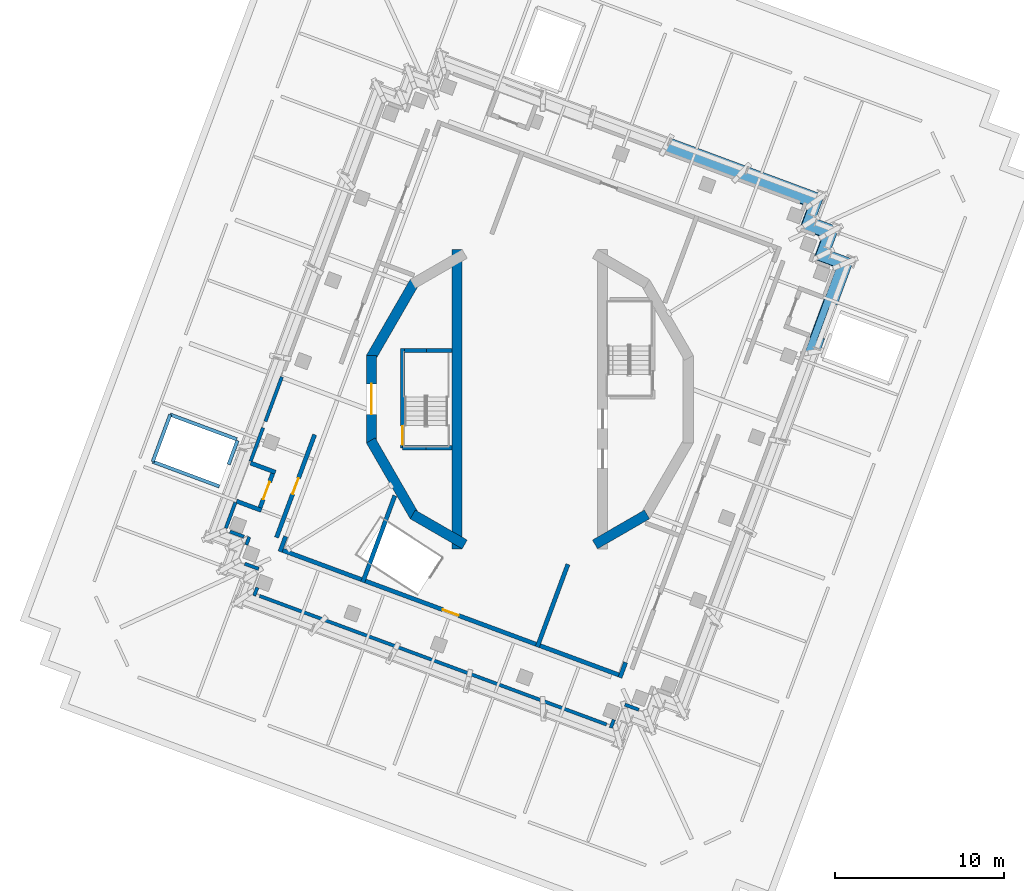
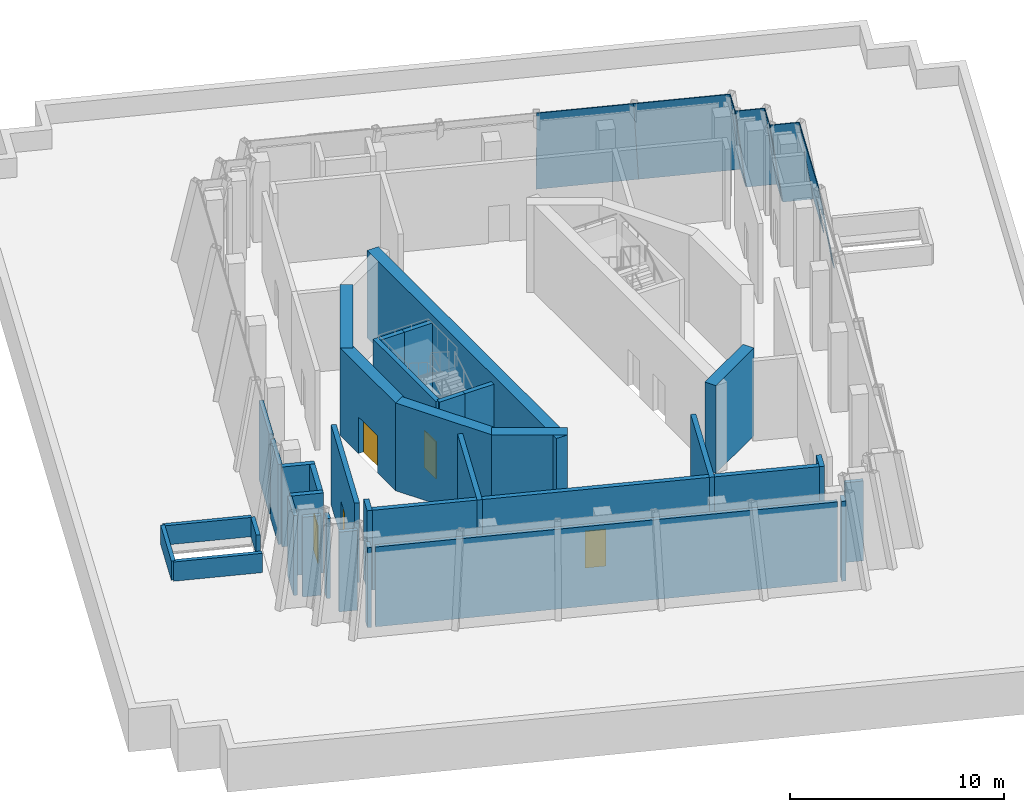
# One storey, part 5 of 12: 36 walls, 7 plates, 5 doors, 5 openings, 7 elements without a shape of their own.
"""IFC4 building model written with IfcOpenShell, lengths in metres."""

from ifc_helpers import new_model, si_unit, direction, frame, frame_2d, origin, place, context, subcontext, project, spatial, polyline, rectangle, outline, extrude, material, layer, layer_set, type_object, element, fill, aggregate, save


model = new_model("IFC4")

# Units and contexts
model_context = context("Model", 3, precision=1e-05, world=origin(), true_north=direction((0.0, 1.0)))
body_context = subcontext(model_context, "Body", "Model", "MODEL_VIEW")
ifc_project = project(units=[si_unit("LENGTHUNIT", "METRE"), si_unit("AREAUNIT", "SQUARE_METRE"), si_unit("VOLUMEUNIT", "CUBIC_METRE"), si_unit("PLANEANGLEUNIT", "RADIAN"), si_unit("MASSUNIT", "GRAM", prefix="KILO")], contexts=[model_context])

# Site, building, storey
site_placement = place(None, origin())
site = spatial("IfcSite", under=ifc_project, at=site_placement, CompositionType="ELEMENT")
building_placement = place(site_placement, origin())
building = spatial("IfcBuilding", under=site, at=building_placement, Name="Cantera Rosa Tower", CompositionType="ELEMENT")
storey_placement = place(building_placement, frame((0.0, 0.0, 345.699951171875)))
storey = spatial("IfcBuildingStorey", under=building, at=storey_placement, Name="L78", CompositionType="ELEMENT", Elevation=345.699951171875)

# Curtain wall, plate
ifc_material_1 = material(Name="Aluminium frame with clear glass", Category="aluminium")
curtain_wall_type = type_object("IfcCurtainWallType", Name="CW4 CROWN GLAZING", PredefinedType="NOTDEFINED", material=ifc_material_1)
curtain_wall_1_placement = place(storey_placement, origin())
curtain_wall_1 = element("IfcCurtainWall", 1, at=curtain_wall_1_placement, inside=storey, type_object=curtain_wall_type, Name="CW4 L78-01", PredefinedType="NOTDEFINED")
ifc_material_2 = material(Name="Aluminium frame with clear glass", Category="aluminium")
ifc_layer_1 = layer(ifc_material_2, 0.0400390625)
ifc_layer_set_1 = layer_set([ifc_layer_1], Name="CW-PANEL CROWN 40")
plate_type = type_object("IfcPlateType", Name="CW-PANEL CROWN 40", PredefinedType="CURTAIN_PANEL", material=ifc_layer_set_1)
plate_1_placement = place(storey_placement, frame((17.40966796875, 12.0546875, 0.0), z_axis=(0.341520995596, 0.921611362009, 0.184379790061), x_axis=(-0.937688102982, 0.347478087827, 2.281693e-06)))
plate_1 = element("IfcPlate", 2, at=plate_1_placement, type_object=plate_type, Name="CROWN GLAZING L78-01", PredefinedType="CURTAIN_PANEL", context=body_context, shape_type="SweptSolid", body=[
    extrude(outline(polyline([(0.0, 0.0), (4.8544728488537885, 0.0), (5.248178028319233, 5.087207836162462), (0.6561072630996764, 5.087229766264052), (0.0, 0.0)])), origin(), (0.0, 0.0, -1.0), 0.0400390625),
])
aggregate(curtain_wall_1, [plate_1])

curtain_wall_2_placement = place(storey_placement, origin())
curtain_wall_2 = element("IfcCurtainWall", 3, at=curtain_wall_2_placement, inside=storey, type_object=curtain_wall_type, Name="CW4 L78-02", PredefinedType="NOTDEFINED")
plate_2_placement = place(storey_placement, frame((12.857666015625, 13.741455078125, 0.0), z_axis=(0.341515330439, 0.921613819424, 0.184378000104), x_axis=(-0.937690002367, 0.347472962195, -2.022083e-06)))
plate_2 = element("IfcPlate", 4, at=plate_2_placement, type_object=plate_type, Name="CROWN GLAZING L78-02", PredefinedType="CURTAIN_PANEL", context=body_context, shape_type="SweptSolid", body=[
    extrude(outline(polyline([(0.0, 0.0), (4.854243920883489, 0.0), (4.985445791790336, 5.087228538589944), (0.3936887874710647, 5.087209104808349), (0.0, 0.0)])), origin(), (0.0, 0.0, -1.0), 0.0400390625),
])
aggregate(curtain_wall_2, [plate_2])

curtain_wall_3_placement = place(storey_placement, origin())
curtain_wall_3 = element("IfcCurtainWall", 5, at=curtain_wall_3_placement, inside=storey, type_object=curtain_wall_type, Name="CW4 L78-32", PredefinedType="NOTDEFINED")
plate_3_placement = place(storey_placement, frame((17.156005859375, 2.85205078125, 0.0), z_axis=(0.925432811178, -0.342965529203, 0.161086181201), x_axis=(0.347505912923, 0.937677791299, -1.3744088e-05)))
plate_3 = element("IfcPlate", 6, at=plate_3_placement, type_object=plate_type, Name="CROWN GLAZING L78-32", PredefinedType="CURTAIN_PANEL", context=body_context, shape_type="SweptSolid", body=[
    extrude(outline(polyline([(0.0, 0.0), (0.7642018434379063, -6.938893903907228e-18), (0.5203667736493519, 2.4318772059122087), (2.614436621287368, 2.4319335431971223), (2.914277842971196, 4.52809042883473e-05), (5.757261298241943, 6.949186504406901e-05), (4.979282487583412, 5.066236375511841), (-0.4667440484662312, 5.066129442721497), (0.0, 0.0)])), origin(), (0.0, 0.0, -1.0), 0.0400390625),
])
aggregate(curtain_wall_3, [plate_3])

curtain_wall_4_placement = place(storey_placement, origin())
curtain_wall_4 = element("IfcCurtainWall", 7, at=curtain_wall_4_placement, inside=storey, type_object=curtain_wall_type, Name="CW4 L78-33", PredefinedType="NOTDEFINED")
plate_4_placement = place(storey_placement, frame((19.15673828125, 8.25048828125, 0.0), z_axis=(0.343329605416, 0.926546010031, 0.153744181486), x_axis=(-0.937694002163, 0.347462168017, -1.0235499e-05)))
plate_4 = element("IfcPlate", 8, at=plate_4_placement, type_object=plate_type, Name="CROWN GLAZING L78-33", PredefinedType="CURTAIN_PANEL", context=body_context, shape_type="SweptSolid", body=[
    extrude(outline(polyline([(0.0, 0.0), (1.48019853278993, 0.0), (2.216100513591442, 5.060184812182457), (0.8161675818728275, 5.060154977889519), (0.0, 0.0)])), origin(), (0.0, 0.0, -1.0), 0.0400390625),
])
aggregate(curtain_wall_4, [plate_4])

curtain_wall_5_placement = place(storey_placement, origin())
curtain_wall_5 = element("IfcCurtainWall", 9, at=curtain_wall_5_placement, inside=storey, type_object=curtain_wall_type, Name="CW4 L78-34", PredefinedType="NOTDEFINED")
plate_5_placement = place(storey_placement, frame((17.768798828125, 8.764892578125, 0.0), z_axis=(0.927663218912, -0.343858529748, 0.14560997149), x_axis=(0.347563142539, 0.93765657996, -2.270378e-06)))
plate_5 = element("IfcPlate", 10, at=plate_5_placement, type_object=plate_type, Name="CROWN GLAZING L78-34", PredefinedType="CURTAIN_PANEL", context=body_context, shape_type="SweptSolid", body=[
    extrude(outline(polyline([(0.0, 0.0), (1.4799696147034354, -1.3877787807814457e-17), (0.6218558231755967, 5.053865140676964), (-0.7781619437989995, 5.053858531576737), (0.0, 0.0)])), origin(), (0.0, 0.0, -1.0), 0.0400390625),
])
aggregate(curtain_wall_5, [plate_5])

curtain_wall_6_placement = place(storey_placement, origin())
curtain_wall_6 = element("IfcCurtainWall", 11, at=curtain_wall_6_placement, inside=storey, type_object=curtain_wall_type, Name="CW4 L78-35", PredefinedType="NOTDEFINED")
plate_6_placement = place(storey_placement, frame((18.283203125, 10.152587890625, 0.0), z_axis=(0.342527933807, 0.92415707409, 0.169139933106), x_axis=(-0.937667055637, 0.347534879932, 2.018349e-06)))
plate_6 = element("IfcPlate", 12, at=plate_6_placement, type_object=plate_type, Name="CROWN GLAZING L78-35", PredefinedType="CURTAIN_PANEL", context=body_context, shape_type="SweptSolid", body=[
    extrude(outline(polyline([(0.0, 0.0), (1.4801985359648204, 1.3877787807814457e-17), (2.135969712104755, 5.07308850990189), (0.7359519450482302, 5.073094408165524), (0.0, 0.0)])), origin(), (0.0, 0.0, -1.0), 0.0400390625),
])
aggregate(curtain_wall_6, [plate_6])

curtain_wall_7_placement = place(storey_placement, origin())
curtain_wall_7 = element("IfcCurtainWall", 13, at=curtain_wall_7_placement, inside=storey, type_object=curtain_wall_type, Name="CW4 L78-36", PredefinedType="NOTDEFINED")
plate_7_placement = place(storey_placement, frame((16.895263671875, 10.6669921875, 0.0), z_axis=(0.929717977791, -0.344536117075, 0.130074385652), x_axis=(0.347489805986, 0.937683760436, -1.2284197e-05)))
plate_7 = element("IfcPlate", 14, at=plate_7_placement, type_object=plate_type, Name="CROWN GLAZING L78-36", PredefinedType="CURTAIN_PANEL", context=body_context, shape_type="SweptSolid", body=[
    extrude(outline(polyline([(0.0, 0.0), (1.479969608283508, -1.3877787807814457e-17), (0.5418585880142708, 5.042849505307325), (-0.8580743400587485, 5.042813824886277), (0.0, 0.0)])), origin(), (0.0, 0.0, -1.0), 0.0400390625),
])
aggregate(curtain_wall_7, [plate_7])

# Walls
ifc_material_3 = material(Name="Masonry blockwork", Category="masonry")
ifc_layer_2 = layer(ifc_material_3, 0.199951171875)
ifc_layer_set_2 = layer_set([ifc_layer_2], Name="Blockwork partition 200")
wall_type_1 = type_object("IfcWallType", Name="Blockwork partition 200", PredefinedType="PARTITIONING", material=ifc_layer_set_2)
wall_1_placement = place(storey_placement, frame((4.783935546875, -19.42578125, 0.0), z_axis=(0.0, 0.0, 1.0), x_axis=(0.347391322771, 0.937720250855, 0.0)))
element("IfcWall", 15, at=wall_1_placement, inside=storey, type_object=wall_type_1, Name="Partition L78-23", PredefinedType="PARTITIONING", context=body_context, shape_type="SweptSolid", body=[
    extrude(rectangle(XDim=0.5166015625, YDim=0.199951171875, at=frame_2d((0.25830078125, 0.0))), origin(), (0.0, 0.0, 1.0), 4.550048828125),
])
wall_2_placement = place(storey_placement, frame((4.537353515625, -19.227783203125, 0.0), z_axis=(0.0, 0.0, 1.0), x_axis=(-0.937686807984, 0.347481582436, 0.0)))
element("IfcWall", 16, at=wall_2_placement, inside=storey, type_object=wall_type_1, Name="Partition L78-25", PredefinedType="PARTITIONING", context=body_context, shape_type="SweptSolid", body=[
    extrude(rectangle(XDim=21.871826171875, YDim=0.199951171875, at=frame_2d((10.93603515625, 0.0))), origin(), (0.0, 0.0, 1.0), 4.550048828125),
])
wall_3_placement = place(storey_placement, frame((-16.28759765625, -11.6171875, 0.0), z_axis=(0.0, 0.0, 1.0), x_axis=(0.347391322771, 0.937720250855, 0.0)))
element("IfcWall", 17, at=wall_3_placement, inside=storey, type_object=wall_type_1, Name="Partition L78-26", PredefinedType="PARTITIONING", context=body_context, shape_type="SweptSolid", body=[
    extrude(rectangle(XDim=0.5166015625, YDim=0.199951171875, at=frame_2d((0.25830078125, 0.0))), origin(), (0.0, 0.0, 1.0), 4.550048828125),
])
wall_4_placement = place(storey_placement, frame((6.439453125, -18.354248046875, 0.0), z_axis=(0.0, 0.0, 1.0), x_axis=(-0.937735373465, 0.347350499283, 0.0)))
element("IfcWall", 18, at=wall_4_placement, inside=storey, type_object=wall_type_1, Name="Partition L78-28", PredefinedType="PARTITIONING", context=body_context, shape_type="SweptSolid", body=[
    extrude(rectangle(XDim=0.8798828125, YDim=0.199951171875, at=frame_2d((0.43994140625, 0.0))), origin(), (0.0, 0.0, 1.0), 4.550048828125),
])
wall_5_placement = place(storey_placement, frame((-16.02001953125, -10.031494140625, 0.0), z_axis=(0.0, 0.0, 1.0), x_axis=(-0.937695442281, 0.347458281705, 0.0)))
element("IfcWall", 19, at=wall_5_placement, inside=storey, type_object=wall_type_1, Name="Partition L78-29", PredefinedType="PARTITIONING", context=body_context, shape_type="SweptSolid", body=[
    extrude(rectangle(XDim=0.884033203125, YDim=0.199951171875, at=frame_2d((0.44189453125, 0.0))), origin(), (0.0, 0.0, 1.0), 4.550048828125),
])
wall_6_placement = place(storey_placement, frame((-16.755126953125, -8.608154296875, 0.0), z_axis=(0.0, 0.0, 1.0), x_axis=(0.347060331102, 0.937842804832, 0.0)))
element("IfcWall", 20, at=wall_6_placement, inside=storey, type_object=wall_type_1, Name="Partition L78-30", PredefinedType="PARTITIONING", context=body_context, shape_type="SweptSolid", body=[
    extrude(rectangle(XDim=0.5009765625, YDim=0.199951171875, at=frame_2d((0.25048828125, 0.0))), origin(), (0.0, 0.0, 1.0), 4.550048828125),
])
wall_7_placement = place(storey_placement, frame((-16.897216796875, -8.1279296875, 0.0), z_axis=(0.0, 0.0, 1.0), x_axis=(-0.937684878693, 0.347486788627, 0.0)))
element("IfcWall", 21, at=wall_7_placement, inside=storey, type_object=wall_type_1, Name="Partition L78-34", PredefinedType="PARTITIONING", context=body_context, shape_type="SweptSolid", body=[
    extrude(rectangle(XDim=0.876220703125, YDim=0.199951171875, at=frame_2d((0.43798828125, 0.0))), origin(), (0.0, 0.0, 1.0), 4.550048828125),
])
wall_8_placement = place(storey_placement, frame((-17.965087890625, -7.62548828125, 0.0), z_axis=(0.0, 0.0, 1.0), x_axis=(0.347383163171, 0.93772327365, 0.0)))
element("IfcWall", 22, at=wall_8_placement, inside=storey, type_object=wall_type_1, Name="Partition L78-35", PredefinedType="PARTITIONING", context=body_context, shape_type="SweptSolid", body=[
    extrude(rectangle(XDim=1.617919921875, YDim=0.199951171875, at=frame_2d((0.80908203125, 0.0))), origin(), (0.0, 0.0, 1.0), 4.550048828125),
])
wall_9_placement = place(storey_placement, frame((-16.49951171875, -3.67041015625, 0.0), z_axis=(0.0, 0.0, 1.0), x_axis=(0.347502354317, 0.937679110221, 0.0)))
element("IfcWall", 23, at=wall_9_placement, inside=storey, type_object=wall_type_1, Name="Partition L78-36", PredefinedType="PARTITIONING", context=body_context, shape_type="SweptSolid", body=[
    extrude(rectangle(XDim=2.11474609375, YDim=0.199951171875, at=frame_2d((1.057373046875, 0.0))), origin(), (0.0, 0.0, 1.0), 4.550048828125),
])
wall_10_placement = place(storey_placement, frame((-15.625732421875, -1.3125, 0.0), z_axis=(0.0, 0.0, 1.0), x_axis=(0.347450692477, 0.937698254396, 0.0)))
element("IfcWall", 24, at=wall_10_placement, inside=storey, type_object=wall_type_1, Name="Partition L78-37", PredefinedType="PARTITIONING", context=body_context, shape_type="SweptSolid", body=[
    extrude(rectangle(XDim=2.79931640625, YDim=0.199951171875, at=frame_2d((1.399658203125, 0.0))), origin(), (0.0, 0.0, 1.0), 4.550048828125),
])
ifc_material_4 = material(Name="Masonry blockwork", Category="masonry")
ifc_layer_3 = layer(ifc_material_4, 0.25)
ifc_layer_set_3 = layer_set([ifc_layer_3], Name="Fire-rated wall 250")
wall_type_2 = type_object("IfcWallType", Name="Fire-rated wall 250", PredefinedType="PARTITIONING", material=ifc_layer_set_3)
wall_11_placement = place(storey_placement, frame((-9.87548828125, -10.82080078125, 0.0), z_axis=(0.0, 0.0, 1.0), x_axis=(0.347505093583, 0.937678095049, 0.0)))
element("IfcWall", 25, at=wall_11_placement, inside=storey, type_object=wall_type_2, Name="Fire wall L78-1", PredefinedType="PARTITIONING", context=body_context, shape_type="SweptSolid", body=[
    extrude(rectangle(XDim=5.4609375, YDim=0.25, at=frame_2d((2.73046875, 0.0))), origin(), (0.0, 0.0, 1.0), 4.550048828125),
])
wall_12_placement = place(storey_placement, frame((5.252197265625, -16.293212890625, 0.0), z_axis=(0.0, 0.0, 1.0), x_axis=(-0.93769710925, 0.347453782977, 0.0)))
element("IfcWall", 26, at=wall_12_placement, inside=storey, type_object=wall_type_2, Name="Fire wall L78-3", PredefinedType="PARTITIONING", context=body_context, shape_type="SweptSolid", body=[
    extrude(rectangle(XDim=4.96142578125, YDim=0.25, at=frame_2d((2.480712890625, 0.0))), origin(), (0.0, 0.0, 1.0), 4.550048828125),
])

# Wall, opening, door
wall_13_placement = place(storey_placement, frame((0.365478515625, -14.482421875, 0.0), z_axis=(0.0, 0.0, 1.0), x_axis=(-0.93768847637, 0.347477080228, 0.0)))
wall_13 = element("IfcWall", 27, at=wall_13_placement, inside=storey, type_object=wall_type_2, Name="Fire wall L78-4", PredefinedType="PARTITIONING", context=body_context, shape_type="SweptSolid", body=[
    extrude(rectangle(XDim=10.75, YDim=0.25, at=frame_2d((5.375, 0.0))), origin(), (0.0, 0.0, 1.0), 4.550048828125),
])
opening_1_placement = place(wall_13_placement, frame((4.875, 0.0, 0.0)))
opening_1 = element("IfcOpeningElement", 28, at=opening_1_placement, cuts=wall_13, Name="Opening L78-008", PredefinedType="OPENING", context=body_context, shape_type="SweptSolid", body=[
    extrude(rectangle(XDim=1.0, YDim=2.10009765625, at=frame_2d((0.5, 1.050048828125))), frame((0.0, 0.135009765625, 0.0), z_axis=(0.0, -1.0, 0.0), x_axis=(1.0, 0.0, 0.0)), (0.0, 0.0, 1.0), 0.27001953125),
])
ifc_material_5 = material(Name="Steel S355J2 (EN 10025-2)", Category="steel")
door_type_1 = type_object("IfcDoorType", Name="Fire door 1000x2100", OperationType="NOTDEFINED", PredefinedType="DOOR", material=ifc_material_5)
door_1_placement = place(opening_1_placement, origin())
door_1 = element("IfcDoor", 29, at=door_1_placement, inside=storey, type_object=door_type_1, Name="Door L78-008", OverallHeight=2.10009765625, OverallWidth=1.0, PredefinedType="DOOR", context=body_context, shape_type="SweptSolid", body=[
    extrude(rectangle(XDim=1.0, YDim=2.10009765625, at=frame_2d((0.5, 1.050048828125))), frame((0.0, 0.02490234375, 0.0), z_axis=(0.0, -1.0, 0.0), x_axis=(1.0, 0.0, 0.0)), (0.0, 0.0, 1.0), 0.050048828125),
])
fill(opening_1, door_1)

# Walls
wall_14_placement = place(storey_placement, frame((-9.94921875, -10.66015625, 0.0), z_axis=(0.0, 0.0, 1.0), x_axis=(-0.937681076424, 0.347497048788, 0.0)))
element("IfcWall", 30, at=wall_14_placement, inside=storey, type_object=wall_type_2, Name="Fire wall L78-5", PredefinedType="PARTITIONING", context=body_context, shape_type="SweptSolid", body=[
    extrude(rectangle(XDim=4.96142578125, YDim=0.25, at=frame_2d((2.480712890625, 0.0))), origin(), (0.0, 0.0, 1.0), 4.550048828125),
])
wall_15_placement = place(storey_placement, frame((-14.76220703125, -9.010009765625, 0.0), z_axis=(0.0, 0.0, 1.0), x_axis=(0.347438702841, 0.937702696897, 0.0)))
element("IfcWall", 31, at=wall_15_placement, inside=storey, type_object=wall_type_2, Name="Fire wall L78-6", PredefinedType="PARTITIONING", context=body_context, shape_type="SweptSolid", body=[
    extrude(rectangle(XDim=0.959228515625, YDim=0.25, at=frame_2d((0.4794921875, 0.0))), origin(), (0.0, 0.0, 1.0), 4.550048828125),
])

# Wall, opening, door
wall_16_placement = place(storey_placement, frame((-14.969970703125, -8.176513671875, 0.0), z_axis=(0.0, 0.0, 1.0), x_axis=(0.347475093696, 0.937689212512, 0.0)))
wall_16 = element("IfcWall", 32, at=wall_16_placement, inside=storey, type_object=wall_type_2, Name="Fire wall L78-8", PredefinedType="PARTITIONING", context=body_context, shape_type="SweptSolid", body=[
    extrude(rectangle(XDim=6.480224609375, YDim=0.25, at=frame_2d((3.240234375, 0.0))), origin(), (0.0, 0.0, 1.0), 4.550048828125),
])
opening_2_placement = place(wall_16_placement, frame((2.740234375, 0.0, 0.0)))
opening_2 = element("IfcOpeningElement", 33, at=opening_2_placement, cuts=wall_16, Name="Opening L78-001", PredefinedType="OPENING", context=body_context, shape_type="SweptSolid", body=[
    extrude(rectangle(XDim=1.0, YDim=2.10009765625, at=frame_2d((0.5, 1.050048828125))), frame((0.0, 0.135009765625, 0.0), z_axis=(0.0, -1.0, 0.0), x_axis=(1.0, 0.0, 0.0)), (0.0, 0.0, 1.0), 0.27001953125),
])
door_2_placement = place(opening_2_placement, origin())
door_2 = element("IfcDoor", 34, at=door_2_placement, inside=storey, type_object=door_type_1, Name="Door L78-001", OverallHeight=2.10009765625, OverallWidth=1.0, PredefinedType="DOOR", context=body_context, shape_type="SweptSolid", body=[
    extrude(rectangle(XDim=1.0, YDim=2.10009765625, at=frame_2d((0.5, 1.050048828125))), frame((0.0, 0.02490234375, 0.0), z_axis=(0.0, -1.0, 0.0), x_axis=(1.0, 0.0, 0.0)), (0.0, 0.0, 1.0), 0.050048828125),
])
fill(opening_2, door_2)

# Walls
wall_17_placement = place(storey_placement, frame((0.439208984375, -14.64306640625, 0.0), z_axis=(0.0, 0.0, 1.0), x_axis=(0.347483812333, 0.937685981641, 0.0)))
element("IfcWall", 35, at=wall_17_placement, inside=storey, type_object=wall_type_2, Name="Fire wall L78-15", PredefinedType="PARTITIONING", context=body_context, shape_type="SweptSolid", body=[
    extrude(rectangle(XDim=5.208251953125, YDim=0.25, at=frame_2d((2.60400390625, 0.0))), origin(), (0.0, 0.0, 1.0), 4.550048828125),
])
wall_18_placement = place(storey_placement, frame((5.325927734375, -16.4541015625, 0.0), z_axis=(0.0, 0.0, 1.0), x_axis=(0.347438702841, 0.937702696897, 0.0)))
element("IfcWall", 36, at=wall_18_placement, inside=storey, type_object=wall_type_2, Name="Fire wall L78-17", PredefinedType="PARTITIONING", context=body_context, shape_type="SweptSolid", body=[
    extrude(rectangle(XDim=0.959228515625, YDim=0.25, at=frame_2d((0.4794921875, 0.0))), origin(), (0.0, 0.0, 1.0), 4.550048828125),
])
ifc_material_6 = material(Name="Concrete C50/60", Category="concrete")
ifc_layer_4 = layer(ifc_material_6, 0.60009765625)
ifc_layer_set_4 = layer_set([ifc_layer_4], Name="RC CORE WALL 600 C50/60")
wall_type_3 = type_object("IfcWallType", Name="RC CORE WALL 600 C50/60", PredefinedType="SHEAR", material=ifc_layer_set_4)
wall_19_placement = place(storey_placement, frame((-3.85009765625, -8.584228515625, 0.0), z_axis=(0.0, 0.0, 1.0), x_axis=(-0.866039982607, 0.499974747889, 0.0)))
element("IfcWall", 37, at=wall_19_placement, inside=storey, type_object=wall_type_3, Name="CW-W1 L78", PredefinedType="SHEAR", context=body_context, shape_type="SweptSolid", body=[
    extrude(rectangle(XDim=3.546142578125, YDim=0.60009765625, at=frame_2d((1.77294921875, 0.0))), origin(), (0.0, 0.0, 1.0), 5.0),
])
wall_20_placement = place(storey_placement, frame((-6.811279296875, -6.921142578125, 0.0), z_axis=(0.0, 0.0, 1.0), x_axis=(-0.499989188378, 0.866031645787, 0.0)))
element("IfcWall", 38, at=wall_20_placement, inside=storey, type_object=wall_type_3, Name="CW-W2 L78", PredefinedType="SHEAR", context=body_context, shape_type="SweptSolid", body=[
    extrude(rectangle(XDim=5.17626953125, YDim=0.60009765625, at=frame_2d((2.588134765625, 0.0))), origin(), (0.0, 0.0, 1.0), 5.0),
])

# Wall, opening, door
wall_21_placement = place(storey_placement, frame((-9.359375, -2.588134765625, 0.0), z_axis=(0.0, 0.0, 1.0), x_axis=(0.0, 1.0, 0.0)))
wall_21 = element("IfcWall", 39, at=wall_21_placement, inside=storey, type_object=wall_type_3, Name="CW-W3 L78", PredefinedType="SHEAR", context=body_context, shape_type="SweptSolid", body=[
    extrude(rectangle(XDim=5.17626953125, YDim=0.60009765625, at=frame_2d((2.588134765625, 0.0))), origin(), (0.0, 0.0, 1.0), 5.0),
])
opening_3_placement = place(wall_21_placement, frame((1.688232421875, 0.0, 0.0)))
opening_3 = element("IfcOpeningElement", 40, at=opening_3_placement, cuts=wall_21, Name="Opening L78-ST-71-L", PredefinedType="OPENING", context=body_context, shape_type="SweptSolid", body=[
    extrude(rectangle(XDim=1.800048828125, YDim=2.10009765625, at=frame_2d((0.89990234375, 1.050048828125))), frame((0.0, 0.31005859375, 0.0), z_axis=(0.0, -1.0, 0.0), x_axis=(1.0, 0.0, 0.0)), (0.0, 0.0, 1.0), 0.6201171875),
])
ifc_material_7 = material(Name="Steel S355J2 (EN 10025-2)", Category="steel")
door_type_2 = type_object("IfcDoorType", Name="FIRE DOOR 1800x2100", OperationType="NOTDEFINED", PredefinedType="DOOR", material=ifc_material_7)
door_3_placement = place(opening_3_placement, origin())
door_3 = element("IfcDoor", 41, at=door_3_placement, inside=storey, type_object=door_type_2, Name="DOOR L78-ST-71-L", OperationType="NOTDEFINED", OverallHeight=2.10009765625, OverallWidth=1.800048828125, PredefinedType="DOOR", context=body_context, shape_type="SweptSolid", body=[
    extrude(rectangle(XDim=1.800048828125, YDim=2.10009765625, at=frame_2d((0.89990234375, 1.050048828125))), frame((0.0, 0.02490234375, 0.0), z_axis=(0.0, -1.0, 0.0), x_axis=(1.0, 0.0, 0.0)), (0.0, 0.0, 1.0), 0.050048828125),
])
fill(opening_3, door_3)

# Walls
wall_22_placement = place(storey_placement, frame((-9.3994140625, 2.438232421875, 0.0), z_axis=(0.0, 0.0, 1.0), x_axis=(0.499989188378, 0.866031645787, 0.0)))
element("IfcWall", 42, at=wall_22_placement, inside=storey, type_object=wall_type_3, Name="CW-W4 L78", PredefinedType="SHEAR", context=body_context, shape_type="SweptSolid", body=[
    extrude(rectangle(XDim=5.17626953125, YDim=0.60009765625, at=frame_2d((2.588134765625, 0.0))), origin(), (0.0, 0.0, 1.0), 5.0),
])
wall_23_placement = place(storey_placement, frame((-4.300048828125, 8.84423828125, 0.0), z_axis=(0.0, 0.0, 1.0), x_axis=(0.0, -1.0, 0.0)))
element("IfcWall", 43, at=wall_23_placement, inside=storey, type_object=wall_type_3, Name="CW-W6 L78", PredefinedType="SHEAR", context=body_context, shape_type="SweptSolid", body=[
    extrude(rectangle(XDim=17.6884765625, YDim=0.60009765625, at=frame_2d((8.84423828125, 0.0))), origin(), (0.0, 0.0, 1.0), 5.0),
])
wall_24_placement = place(storey_placement, frame((6.921142578125, -6.811279296875, 0.0), z_axis=(0.0, 0.0, 1.0), x_axis=(-0.866039982607, -0.499974747889, 0.0)))
element("IfcWall", 44, at=wall_24_placement, inside=storey, type_object=wall_type_3, Name="CW-E5 L78", PredefinedType="SHEAR", context=body_context, shape_type="SweptSolid", body=[
    extrude(rectangle(XDim=3.546142578125, YDim=0.60009765625, at=frame_2d((1.77294921875, 0.0))), origin(), (0.0, 0.0, 1.0), 5.0),
])
ifc_material_8 = material(Name="Concrete C50/60", Category="concrete")
ifc_layer_5 = layer(ifc_material_8, 0.25)
ifc_layer_set_5 = layer_set([ifc_layer_5], Name="RC stair wall 250 H4550 C50/60")
wall_type_4 = type_object("IfcWallType", Name="RC stair wall 250 H4550", PredefinedType="SOLIDWALL", material=ifc_layer_set_5)
wall_25_placement = place(storey_placement, frame((-17.33447265625, -6.027099609375, 0.0), z_axis=(0.0, 0.0, 1.0), x_axis=(0.937662174448, -0.347548049354, 0.0)))
element("IfcWall", 45, at=wall_25_placement, inside=storey, type_object=wall_type_4, Name="Stair lobby wall ST-63 L78-A", PredefinedType="SOLIDWALL", context=body_context, shape_type="SweptSolid", body=[
    extrude(rectangle(XDim=1.565185546875, YDim=0.25, at=frame_2d((0.78271484375, 0.0))), origin(), (0.0, 0.0, 1.0), 4.550048828125),
])
wall_26_placement = place(storey_placement, frame((-16.50048828125, -3.776611328125, 0.0), z_axis=(0.0, 0.0, 1.0), x_axis=(0.93764332821, -0.347598891057, 0.0)))
element("IfcWall", 46, at=wall_26_placement, inside=storey, type_object=wall_type_4, Name="Stair lobby wall ST-63 L78-B", PredefinedType="SOLIDWALL", context=body_context, shape_type="SweptSolid", body=[
    extrude(rectangle(XDim=1.56494140625, YDim=0.25, at=frame_2d((0.782470703125, 0.0))), origin(), (0.0, 0.0, 1.0), 4.550048828125),
])

# Wall, opening, door
wall_27_placement = place(storey_placement, frame((-16.027587890625, -6.644775390625, 0.0), z_axis=(0.0, 0.0, 1.0), x_axis=(0.347506383506, 0.937677617, 0.0)))
wall_27 = element("IfcWall", 47, at=wall_27_placement, inside=storey, type_object=wall_type_4, Name="Stair lobby wall ST-63 L78-C", PredefinedType="SOLIDWALL", context=body_context, shape_type="SweptSolid", body=[
    extrude(rectangle(XDim=2.64990234375, YDim=0.25, at=frame_2d((1.324951171875, 0.0))), origin(), (0.0, 0.0, 1.0), 4.550048828125),
])
opening_4_placement = place(wall_27_placement, frame((0.77490234375, 0.0, 0.0)))
opening_4 = element("IfcOpeningElement", 48, at=opening_4_placement, cuts=wall_27, Name="Opening L78-ST-63-LD", PredefinedType="OPENING", context=body_context, shape_type="SweptSolid", body=[
    extrude(rectangle(XDim=1.10009765625, YDim=2.10009765625, at=frame_2d((0.550048828125, 1.050048828125))), frame((0.0, 0.135009765625, 0.0), z_axis=(0.0, -1.0, 0.0), x_axis=(1.0, 0.0, 0.0)), (0.0, 0.0, 1.0), 0.27001953125),
])
ifc_material_9 = material(Name="Steel S355J2 (EN 10025-2)", Category="steel")
door_type_3 = type_object("IfcDoorType", Name="STAIR LOBBY DOOR 1100x2100", OperationType="NOTDEFINED", PredefinedType="DOOR", material=ifc_material_9)
door_4_placement = place(opening_4_placement, origin())
door_4 = element("IfcDoor", 49, at=door_4_placement, inside=storey, type_object=door_type_3, Name="Lobby door ST-63 L78", OverallHeight=2.10009765625, OverallWidth=1.10009765625, PredefinedType="DOOR", context=body_context, shape_type="SweptSolid", body=[
    extrude(rectangle(XDim=1.10009765625, YDim=2.10009765625, at=frame_2d((0.550048828125, 1.050048828125))), frame((0.0, 0.02490234375, 0.0), z_axis=(0.0, -1.0, 0.0), x_axis=(1.0, 0.0, 0.0)), (0.0, 0.0, 1.0), 0.050048828125),
])
fill(opening_4, door_4)

# Walls
ifc_material_10 = material(Name="Concrete C40/50", Category="concrete")
ifc_layer_6 = layer(ifc_material_10, 0.199951171875)
ifc_layer_set_6 = layer_set([ifc_layer_6], Name="Roof parapet 200 H1100")
wall_type_5 = type_object("IfcWallType", Name="Roof parapet 200 H1100", PredefinedType="PARAPET", material=ifc_layer_set_6)
wall_28_placement = place(storey_placement, frame((-17.277587890625, -2.448974609375, 0.0), z_axis=(0.0, 0.0, 1.0), x_axis=(-0.347499887537, -0.937680024402, 0.0)))
element("IfcWall", 50, at=wall_28_placement, inside=storey, type_object=wall_type_5, Name="STAIR HEAD UPSTAND ST-63 1-1", PredefinedType="PARAPET", context=body_context, shape_type="SweptSolid", body=[
    extrude(rectangle(XDim=1.5, YDim=0.199951171875, at=frame_2d((0.75, 0.0))), origin(), (0.0, 0.0, 1.0), 1.10009765625),
])
wall_29_placement = place(storey_placement, frame((-17.31494140625, -2.37109375, 0.0), z_axis=(0.0, 0.0, 1.0), x_axis=(-0.937682096729, 0.3474942956, 0.0)))
element("IfcWall", 51, at=wall_29_placement, inside=storey, type_object=wall_type_5, Name="STAIR HEAD UPSTAND ST-63 2-1", PredefinedType="PARAPET", context=body_context, shape_type="SweptSolid", body=[
    extrude(rectangle(XDim=4.197998046875, YDim=0.199951171875, at=frame_2d((2.09912109375, 0.0))), origin(), (0.0, 0.0, 1.0), 1.10009765625),
])
wall_30_placement = place(storey_placement, frame((-21.251220703125, -0.912353515625, 0.0), z_axis=(0.0, 0.0, 1.0), x_axis=(-0.34744553006, -0.93770016724, 0.0)))
element("IfcWall", 52, at=wall_30_placement, inside=storey, type_object=wall_type_5, Name="STAIR HEAD UPSTAND ST-63 2-2", PredefinedType="PARAPET", context=body_context, shape_type="SweptSolid", body=[
    extrude(rectangle(XDim=2.97021484375, YDim=0.199951171875, at=frame_2d((1.485107421875, 0.0))), origin(), (0.0, 0.0, 1.0), 1.10009765625),
])
wall_31_placement = place(storey_placement, frame((-22.283203125, -3.697509765625, 0.0), z_axis=(0.0, 0.0, 1.0), x_axis=(0.937701045886, -0.347443158725, 0.0)))
element("IfcWall", 53, at=wall_31_placement, inside=storey, type_object=wall_type_5, Name="STAIR HEAD UPSTAND ST-63 2-3", PredefinedType="PARAPET", context=body_context, shape_type="SweptSolid", body=[
    extrude(rectangle(XDim=4.19775390625, YDim=0.199951171875, at=frame_2d((2.098876953125, 0.0))), origin(), (0.0, 0.0, 1.0), 1.10009765625),
])

# Wall, opening, door
ifc_material_11 = material(Name="Concrete C50/60", Category="concrete")
ifc_layer_7 = layer(ifc_material_11, 0.25)
ifc_layer_set_7 = layer_set([ifc_layer_7], Name="STAIR WALL 250 H4550")
wall_type_6 = type_object("IfcWallType", Name="STAIR WALL 250 H4550", PredefinedType="SOLIDWALL", material=ifc_layer_set_7)
wall_32_placement = place(storey_placement, frame((-7.52490234375, -2.875, 0.0), z_axis=(0.0, 0.0, 1.0), x_axis=(0.0, 1.0, 0.0)))
wall_32 = element("IfcWall", 54, at=wall_32_placement, inside=storey, type_object=wall_type_6, Name="STAIR WALL ST-71 L78-1", PredefinedType="SOLIDWALL", context=body_context, shape_type="SweptSolid", body=[
    extrude(rectangle(XDim=5.875, YDim=0.25, at=frame_2d((2.9375, 0.0))), origin(), (0.0, 0.0, 1.0), 4.550048828125),
])
opening_5_placement = place(wall_32_placement, frame((0.175048828125, 0.0, 0.0)))
opening_5 = element("IfcOpeningElement", 55, at=opening_5_placement, cuts=wall_32, Name="Opening L78-ST-71", PredefinedType="OPENING", context=body_context, shape_type="SweptSolid", body=[
    extrude(rectangle(XDim=1.10009765625, YDim=2.10009765625, at=frame_2d((0.550048828125, 1.050048828125))), frame((0.0, 0.135009765625, 0.0), z_axis=(0.0, -1.0, 0.0), x_axis=(1.0, 0.0, 0.0)), (0.0, 0.0, 1.0), 0.27001953125),
])
ifc_material_12 = material(Name="Steel S355J2 (EN 10025-2)", Category="steel")
door_type_4 = type_object("IfcDoorType", Name="STAIR DOOR 1100x2100", OperationType="NOTDEFINED", PredefinedType="DOOR", material=ifc_material_12)
door_5_placement = place(opening_5_placement, origin())
door_5 = element("IfcDoor", 56, at=door_5_placement, inside=storey, type_object=door_type_4, Name="DOOR L78-ST-71", OperationType="NOTDEFINED", OverallHeight=2.10009765625, OverallWidth=1.10009765625, PredefinedType="DOOR", context=body_context, shape_type="SweptSolid", body=[
    extrude(rectangle(XDim=1.10009765625, YDim=2.10009765625, at=frame_2d((0.550048828125, 1.050048828125))), frame((0.0, 0.02490234375, 0.0), z_axis=(0.0, -1.0, 0.0), x_axis=(1.0, 0.0, 0.0)), (0.0, 0.0, 1.0), 0.050048828125),
])
fill(opening_5, door_5)

# Walls
wall_33_placement = place(storey_placement, frame((-7.39990234375, 2.875, 0.0), z_axis=(0.0, 0.0, 1.0), x_axis=(1.0, 0.0, 0.0)))
element("IfcWall", 57, at=wall_33_placement, inside=storey, type_object=wall_type_6, Name="STAIR WALL ST-71 L78-2", PredefinedType="SOLIDWALL", context=body_context, shape_type="SweptSolid", body=[
    extrude(rectangle(XDim=1.2998046875, YDim=0.25, at=frame_2d((0.64990234375, 0.0))), origin(), (0.0, 0.0, 1.0), 4.550048828125),
])
wall_34_placement = place(storey_placement, frame((-4.60009765625, -2.875, 0.0), z_axis=(0.0, 0.0, 1.0), x_axis=(-1.0, 0.0, 0.0)))
element("IfcWall", 58, at=wall_34_placement, inside=storey, type_object=wall_type_6, Name="STAIR WALL ST-71 L78-3", PredefinedType="SOLIDWALL", context=body_context, shape_type="SweptSolid", body=[
    extrude(rectangle(XDim=1.5498046875, YDim=0.25, at=frame_2d((0.77490234375, 0.0))), origin(), (0.0, 0.0, 1.0), 4.550048828125),
])
wall_35_placement = place(storey_placement, frame((-6.10009765625, 2.875, 0.0), z_axis=(0.0, 0.0, 1.0), x_axis=(1.0, 0.0, 0.0)))
element("IfcWall", 59, at=wall_35_placement, inside=storey, type_object=wall_type_6, Name="STAIR WALL ST-71 L78-2 J", PredefinedType="SOLIDWALL", context=body_context, shape_type="SweptSolid", body=[
    extrude(rectangle(XDim=1.5, YDim=0.25, at=frame_2d((0.75, 0.0))), origin(), (0.0, 0.0, 1.0), 4.550048828125),
])
wall_36_placement = place(storey_placement, frame((-6.14990234375, -2.875, 0.0), z_axis=(0.0, 0.0, 1.0), x_axis=(-1.0, 0.0, 0.0)))
element("IfcWall", 60, at=wall_36_placement, inside=storey, type_object=wall_type_6, Name="STAIR WALL ST-71 L78-3 J", PredefinedType="SOLIDWALL", context=body_context, shape_type="SweptSolid", body=[
    extrude(rectangle(XDim=1.375, YDim=0.25, at=frame_2d((0.6875, 0.0))), origin(), (0.0, 0.0, 1.0), 4.550048828125),
])

save(model, "model.ifc")
